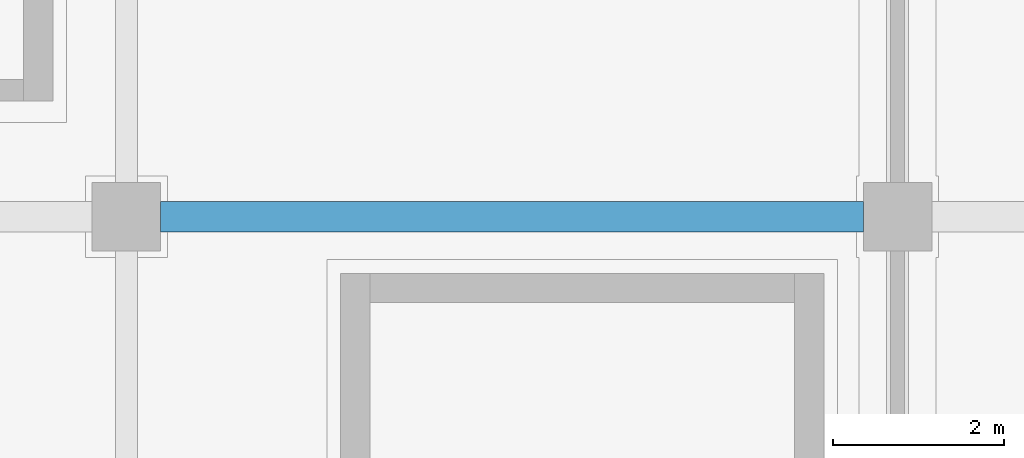
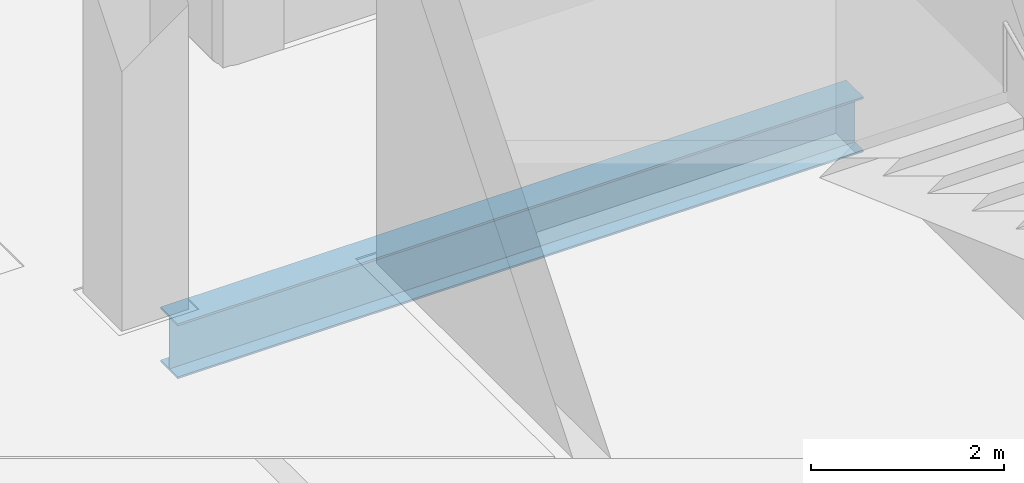
# One storey, part 29 of 137: 1 beam.
"""IFC4 building model written with IfcOpenShell, lengths in metres."""

from ifc_helpers import new_model, si_unit, direction, frame, origin, origin_2d, place, context, subcontext, project, spatial, i_section, extrude, material, material_profile, profile_set, type_object, element, save


model = new_model("IFC4")

# Units and contexts
model_context = context("Model", 3, precision=1e-05, world=origin(), true_north=direction((0.0, 1.0)))
body_context = subcontext(model_context, "Body", "Model", "MODEL_VIEW")
ifc_project = project(units=[si_unit("LENGTHUNIT", "METRE"), si_unit("AREAUNIT", "SQUARE_METRE"), si_unit("VOLUMEUNIT", "CUBIC_METRE"), si_unit("PLANEANGLEUNIT", "RADIAN"), si_unit("MASSUNIT", "GRAM", prefix="KILO")], contexts=[model_context])

# Site, building, storey
site_placement = place(None, origin())
site = spatial("IfcSite", under=ifc_project, at=site_placement, CompositionType="ELEMENT")
building_placement = place(site_placement, origin())
building = spatial("IfcBuilding", under=site, at=building_placement, Name="Celestram Park Convention Centre", CompositionType="ELEMENT")
storey_placement = place(building_placement, origin())
storey = spatial("IfcBuildingStorey", under=building, at=storey_placement, Name="L00", CompositionType="ELEMENT", Elevation=0.0)

# Beam
ifc_material = material(Name="Steel ASTM A992 Grade 50", Category="steel")
ifc_material_profile = material_profile(ifc_material, i_section(OverallWidth=0.35595703125, OverallDepth=0.696044921875, WebThickness=0.015380859375, FlangeThickness=0.02490234375, at=origin_2d()), Name="W27X146")
ifc_profile_set = profile_set([ifc_material_profile], Name="Steel ASTM A992 Grade 50")
beam_type = type_object("IfcBeamType", Name="STR-BM-W27X146", PredefinedType="BEAM", material=ifc_profile_set)
beam_placement = place(storey_placement, frame((153.39794921875, 14.39990234375, -0.66796875), z_axis=(1.0, 0.0, 0.0), x_axis=(0.0, 1.0, 0.0)))
element("IfcBeam", 1, at=beam_placement, inside=storey, type_object=beam_type, Name="Primary X-girder BG-L00-0695", PredefinedType="BEAM", context=body_context, shape_type="SweptSolid", body=[
    extrude(i_section(OverallWidth=0.35595703125, OverallDepth=0.696044921875, WebThickness=0.015380859375, FlangeThickness=0.02490234375, at=origin_2d()), origin(), (0.0, 0.0, 1.0), 8.2041015625),
])

save(model, "model.ifc")
